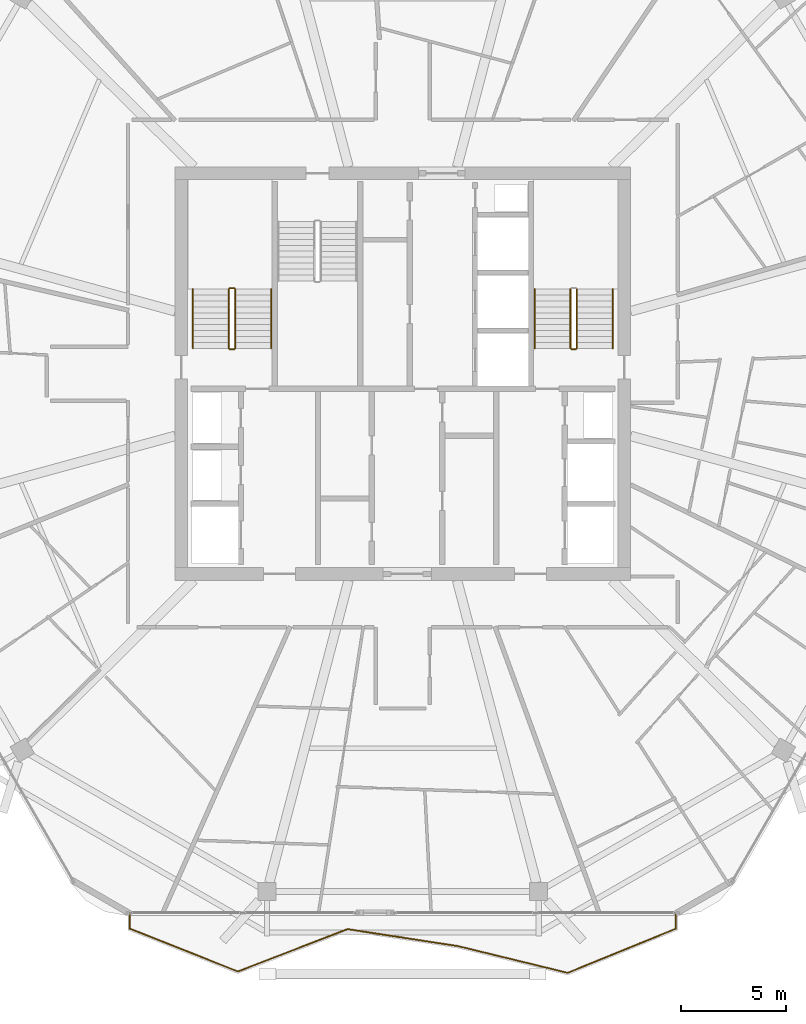
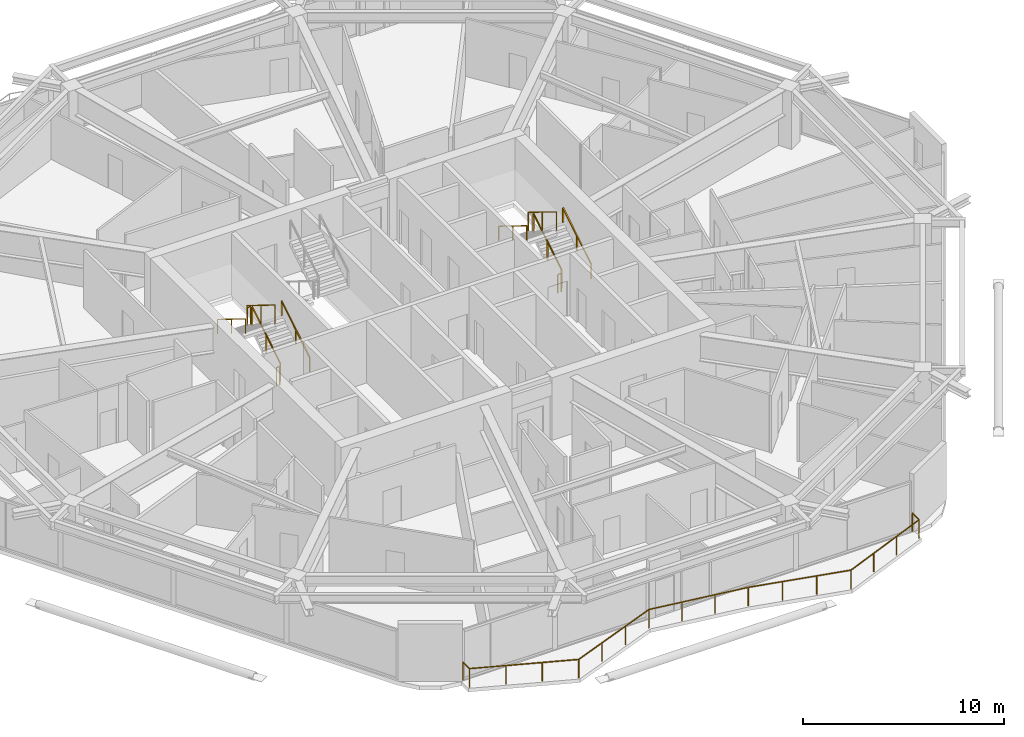
# One storey, part 25 of 26: 12 railings.
"""IFC4 building model written with IfcOpenShell, lengths in metres."""

from ifc_helpers import new_model, si_unit, direction, frame, origin, origin_2d, place, context, subcontext, project, spatial, rectangle, extrude, material, type_object, element, save


model = new_model("IFC4")

# Units and contexts
model_context = context("Model", 3, precision=1e-05, world=origin(), true_north=direction((0.0, 1.0)))
body_context = subcontext(model_context, "Body", "Model", "MODEL_VIEW")
ifc_project = project(units=[si_unit("LENGTHUNIT", "METRE"), si_unit("AREAUNIT", "SQUARE_METRE"), si_unit("VOLUMEUNIT", "CUBIC_METRE"), si_unit("PLANEANGLEUNIT", "RADIAN"), si_unit("MASSUNIT", "GRAM", prefix="KILO")], contexts=[model_context])

# Site, building, storey
site_placement = place(None, origin())
site = spatial("IfcSite", under=ifc_project, at=site_placement, CompositionType="ELEMENT")
building_placement = place(site_placement, origin())
building = spatial("IfcBuilding", under=site, at=building_placement, Name="Zuhravey Tower", CompositionType="ELEMENT")
storey_placement = place(building_placement, frame((0.0, 0.0, 299.60009765625)))
storey = spatial("IfcBuildingStorey", under=building, at=storey_placement, Name="L76", CompositionType="ELEMENT", Elevation=299.60009765625)

# Railings
ifc_material_1 = material(Name="Stainless steel 316 and laminated glass", Category="steel")
railing_type_1 = type_object("IfcRailingType", Name="Balcony & Terrace Guardrail 1150", PredefinedType="BALUSTRADE", material=ifc_material_1)
railing_1_placement = place(storey_placement, frame((48.941650390625, 6.351318359375, 0.0)))
element("IfcRailing", 1, at=railing_1_placement, inside=storey, type_object=railing_type_1, Name="L76 Face 5 Wave Balcony Guardrail GR1", PredefinedType="BALUSTRADE", context=body_context, shape_type="SweptSolid", body=[
    extrude(rectangle(XDim=0.048095703125, YDim=0.048095703125, at=origin_2d()), frame((0.0, -0.001953125, 1.1259765625), z_axis=(0.0, -1.0, 0.0), x_axis=(1.0, 0.0, 0.0)), (0.0, 0.0, 1.0), 0.668701171875),
    extrude(rectangle(XDim=0.048095703125, YDim=0.048095703125, at=origin_2d()), frame((-0.001953125, -0.67333984375, 1.1259765625), z_axis=(-0.925652291283, -0.378375257704, 0.0), x_axis=(0.378375257704, -0.925652291283, 0.0)), (0.0, 0.0, 1.0), 5.5322265625),
    extrude(rectangle(XDim=0.048095703125, YDim=0.048095703125, at=origin_2d()), frame((-5.12646484375, -2.766845703125, 1.1259765625), z_axis=(-0.971450755354, 0.237241290508, 0.0), x_axis=(-0.237241290508, -0.971450755354, 0.0)), (0.0, 0.0, 1.0), 5.337890625),
    extrude(rectangle(XDim=0.048095703125, YDim=0.048095703125, at=origin_2d()), frame((-10.31591796875, -1.499755859375, 1.1259765625), z_axis=(-0.988388704617, 0.151946597806, 0.0), x_axis=(-0.151946597806, -0.988388704617, 0.0)), (0.0, 0.0, 1.0), 5.3046875),
    extrude(rectangle(XDim=0.048095703125, YDim=0.048095703125, at=origin_2d()), frame((-15.56298828125, -0.694091796875, 1.1259765625), z_axis=(-0.933037339398, -0.35977954818, 0.0), x_axis=(0.35977954818, -0.933037339398, 0.0)), (0.0, 0.0, 1.0), 5.57470703125),
    extrude(rectangle(XDim=0.048095703125, YDim=0.048095703125, at=origin_2d()), frame((-20.76806640625, -2.69970703125, 1.1259765625), z_axis=(-0.929634492587, 0.368482984943, 0.0), x_axis=(-0.368482984943, -0.929634492587, 0.0)), (0.0, 0.0, 1.0), 5.50048828125),
    extrude(rectangle(XDim=0.048095703125, YDim=0.048095703125, at=origin_2d()), frame((-25.88330078125, -0.670166015625, 1.1259765625), z_axis=(0.0, 1.0, 0.0), x_axis=(-1.0, 0.0, 0.0)), (0.0, 0.0, 1.0), 0.668212890625),
    extrude(rectangle(XDim=0.0419921875, YDim=0.0419921875, at=origin_2d()), origin(), (0.0, 0.0, 1.0), 1.099853515625),
    extrude(rectangle(XDim=0.0419921875, YDim=0.0419921875, at=origin_2d()), frame((0.0, -0.672607421875, 0.0)), (0.0, 0.0, 1.0), 1.099853515625),
    extrude(rectangle(XDim=0.0419921875, YDim=0.0419921875, at=origin_2d()), frame((-1.708251953125, -1.370849609375, 0.0)), (0.0, 0.0, 1.0), 1.099853515625),
    extrude(rectangle(XDim=0.0419921875, YDim=0.0419921875, at=origin_2d()), frame((-3.416259765625, -2.069091796875, 0.0)), (0.0, 0.0, 1.0), 1.099853515625),
    extrude(rectangle(XDim=0.0419921875, YDim=0.0419921875, at=origin_2d()), frame((-5.12451171875, -2.767333984375, 0.0)), (0.0, 0.0, 1.0), 1.099853515625),
    extrude(rectangle(XDim=0.0419921875, YDim=0.0419921875, at=origin_2d()), frame((-6.854248046875, -2.344970703125, 0.0)), (0.0, 0.0, 1.0), 1.099853515625),
    extrude(rectangle(XDim=0.0419921875, YDim=0.0419921875, at=origin_2d()), frame((-8.584228515625, -1.92236328125, 0.0)), (0.0, 0.0, 1.0), 1.099853515625),
    extrude(rectangle(XDim=0.0419921875, YDim=0.0419921875, at=origin_2d()), frame((-10.31396484375, -1.5, 0.0)), (0.0, 0.0, 1.0), 1.099853515625),
    extrude(rectangle(XDim=0.0419921875, YDim=0.0419921875, at=origin_2d()), frame((-12.06298828125, -1.231201171875, 0.0)), (0.0, 0.0, 1.0), 1.099853515625),
    extrude(rectangle(XDim=0.0419921875, YDim=0.0419921875, at=origin_2d()), frame((-13.81201171875, -0.962158203125, 0.0)), (0.0, 0.0, 1.0), 1.099853515625),
    extrude(rectangle(XDim=0.0419921875, YDim=0.0419921875, at=origin_2d()), frame((-15.56103515625, -0.693359375, 0.0)), (0.0, 0.0, 1.0), 1.099853515625),
    extrude(rectangle(XDim=0.0419921875, YDim=0.0419921875, at=origin_2d()), frame((-17.296142578125, -1.3623046875, 0.0)), (0.0, 0.0, 1.0), 1.099853515625),
    extrude(rectangle(XDim=0.0419921875, YDim=0.0419921875, at=origin_2d()), frame((-19.031005859375, -2.031494140625, 0.0)), (0.0, 0.0, 1.0), 1.099853515625),
    extrude(rectangle(XDim=0.0419921875, YDim=0.0419921875, at=origin_2d()), frame((-20.76611328125, -2.700439453125, 0.0)), (0.0, 0.0, 1.0), 1.099853515625),
    extrude(rectangle(XDim=0.0419921875, YDim=0.0419921875, at=origin_2d()), frame((-22.471923828125, -2.0244140625, 0.0)), (0.0, 0.0, 1.0), 1.099853515625),
    extrude(rectangle(XDim=0.0419921875, YDim=0.0419921875, at=origin_2d()), frame((-24.177490234375, -1.34814453125, 0.0)), (0.0, 0.0, 1.0), 1.099853515625),
    extrude(rectangle(XDim=0.0419921875, YDim=0.0419921875, at=origin_2d()), frame((-25.88330078125, -0.672119140625, 0.0)), (0.0, 0.0, 1.0), 1.099853515625),
    extrude(rectangle(XDim=0.0419921875, YDim=0.0419921875, at=origin_2d()), frame((-25.88330078125, 0.0, 0.0)), (0.0, 0.0, 1.0), 1.099853515625),
])
ifc_material_2 = material(Name="Brushed stainless steel", Category="steel")
railing_type_2 = type_object("IfcRailingType", Name="Stair Wall Handrail 900", PredefinedType="HANDRAIL", material=ifc_material_2)
railing_2_placement = place(storey_placement, frame((29.75, 33.199951171875, 0.172607421875)))
element("IfcRailing", 2, at=railing_2_placement, inside=storey, type_object=railing_type_2, Name="L76 ST1 stair handrail 1", PredefinedType="HANDRAIL", context=body_context, shape_type="SweptSolid", body=[
    extrude(rectangle(XDim=0.048095703125, YDim=0.048095703125, at=origin_2d()), frame((0.0, 0.001708984375, 0.876953125), z_axis=(0.0, 0.851089632645, 0.525020415988), x_axis=(-1.0, 0.0, 0.0)), (0.0, 0.0, 1.0), 3.285888671875),
    extrude(rectangle(XDim=0.0419921875, YDim=0.0419921875, at=origin_2d()), origin(), (0.0, 0.0, 1.0), 0.849853515625),
    extrude(rectangle(XDim=0.0419921875, YDim=0.0419921875, at=origin_2d()), frame((0.0, 1.39990234375, 0.86376953125)), (0.0, 0.0, 1.0), 0.849853515625),
    extrude(rectangle(XDim=0.0419921875, YDim=0.0419921875, at=origin_2d()), frame((0.0, 2.800048828125, 1.727294921875)), (0.0, 0.0, 1.0), 0.849853515625),
])
railing_3_placement = place(storey_placement, frame((26.050048828125, 36.0, 2.072509765625)))
element("IfcRailing", 3, at=railing_3_placement, inside=storey, type_object=railing_type_2, Name="L76 ST1 stair handrail 2", PredefinedType="HANDRAIL", context=body_context, shape_type="SweptSolid", body=[
    extrude(rectangle(XDim=0.048095703125, YDim=0.048095703125, at=origin_2d()), frame((0.0, -0.001708984375, 0.876953125), z_axis=(0.0, -0.851089632645, 0.525020415988), x_axis=(1.0, 0.0, 0.0)), (0.0, 0.0, 1.0), 3.285888671875),
    extrude(rectangle(XDim=0.0419921875, YDim=0.0419921875, at=origin_2d()), origin(), (0.0, 0.0, 1.0), 0.849853515625),
    extrude(rectangle(XDim=0.0419921875, YDim=0.0419921875, at=origin_2d()), frame((0.0, -1.39990234375, 0.86376953125)), (0.0, 0.0, 1.0), 0.849853515625),
    extrude(rectangle(XDim=0.0419921875, YDim=0.0419921875, at=origin_2d()), frame((0.0, -2.800048828125, 1.727294921875)), (0.0, 0.0, 1.0), 0.849853515625),
])
railing_4_placement = place(storey_placement, frame((45.949951171875, 33.199951171875, 0.172607421875)))
element("IfcRailing", 4, at=railing_4_placement, inside=storey, type_object=railing_type_2, Name="L76 ST2 stair handrail 1", PredefinedType="HANDRAIL", context=body_context, shape_type="SweptSolid", body=[
    extrude(rectangle(XDim=0.048095703125, YDim=0.048095703125, at=origin_2d()), frame((0.0, 0.001708984375, 0.876953125), z_axis=(0.0, 0.851089632645, 0.525020415988), x_axis=(-1.0, 0.0, 0.0)), (0.0, 0.0, 1.0), 3.285888671875),
    extrude(rectangle(XDim=0.0419921875, YDim=0.0419921875, at=origin_2d()), origin(), (0.0, 0.0, 1.0), 0.849853515625),
    extrude(rectangle(XDim=0.0419921875, YDim=0.0419921875, at=origin_2d()), frame((0.0, 1.39990234375, 0.86376953125)), (0.0, 0.0, 1.0), 0.849853515625),
    extrude(rectangle(XDim=0.0419921875, YDim=0.0419921875, at=origin_2d()), frame((0.0, 2.800048828125, 1.727294921875)), (0.0, 0.0, 1.0), 0.849853515625),
])
railing_5_placement = place(storey_placement, frame((42.25, 36.0, 2.072509765625)))
element("IfcRailing", 5, at=railing_5_placement, inside=storey, type_object=railing_type_2, Name="L76 ST2 stair handrail 2", PredefinedType="HANDRAIL", context=body_context, shape_type="SweptSolid", body=[
    extrude(rectangle(XDim=0.048095703125, YDim=0.048095703125, at=origin_2d()), frame((0.0, -0.001708984375, 0.876953125), z_axis=(0.0, -0.851089632645, 0.525020415988), x_axis=(1.0, 0.0, 0.0)), (0.0, 0.0, 1.0), 3.285888671875),
    extrude(rectangle(XDim=0.0419921875, YDim=0.0419921875, at=origin_2d()), origin(), (0.0, 0.0, 1.0), 0.849853515625),
    extrude(rectangle(XDim=0.0419921875, YDim=0.0419921875, at=origin_2d()), frame((0.0, -1.39990234375, 0.86376953125)), (0.0, 0.0, 1.0), 0.849853515625),
    extrude(rectangle(XDim=0.0419921875, YDim=0.0419921875, at=origin_2d()), frame((0.0, -2.800048828125, 1.727294921875)), (0.0, 0.0, 1.0), 0.849853515625),
])
ifc_material_3 = material(Name="Painted tubular steel", Category="steel")
railing_type_3 = type_object("IfcRailingType", Name="Stair Well Guardrail 1150", PredefinedType="GUARDRAIL", material=ifc_material_3)
railing_6_placement = place(storey_placement, frame((28.050048828125, 33.199951171875, 0.172607421875)))
element("IfcRailing", 6, at=railing_6_placement, inside=storey, type_object=railing_type_3, Name="L76 ST1 stair guard 1", PredefinedType="GUARDRAIL", context=body_context, shape_type="SweptSolid", body=[
    extrude(rectangle(XDim=0.048095703125, YDim=0.048095703125, at=origin_2d()), frame((0.0, 0.001708984375, 1.126953125), z_axis=(0.0, 0.851089632645, 0.525020415988), x_axis=(-1.0, 0.0, 0.0)), (0.0, 0.0, 1.0), 3.285888671875),
    extrude(rectangle(XDim=0.0419921875, YDim=0.0419921875, at=origin_2d()), origin(), (0.0, 0.0, 1.0), 1.099853515625),
    extrude(rectangle(XDim=0.0419921875, YDim=0.0419921875, at=origin_2d()), frame((0.0, 1.39990234375, 0.86376953125)), (0.0, 0.0, 1.0), 1.099853515625),
    extrude(rectangle(XDim=0.0419921875, YDim=0.0419921875, at=origin_2d()), frame((0.0, 2.800048828125, 1.727294921875)), (0.0, 0.0, 1.0), 1.099853515625),
])
railing_7_placement = place(storey_placement, frame((28.0, 36.050048828125, 1.89990234375)))
element("IfcRailing", 7, at=railing_7_placement, inside=storey, type_object=railing_type_3, Name="L76 ST1 stair guard 2", PredefinedType="GUARDRAIL", context=body_context, shape_type="SweptSolid", body=[
    extrude(rectangle(XDim=0.048095703125, YDim=0.048095703125, at=origin_2d()), frame((-0.001953125, 0.0, 1.1259765625), z_axis=(-1.0, 0.0, 0.0), x_axis=(0.0, -1.0, 0.0)), (0.0, 0.0, 1.0), 0.196044921875),
    extrude(rectangle(XDim=0.0419921875, YDim=0.0419921875, at=origin_2d()), origin(), (0.0, 0.0, 1.0), 1.099853515625),
    extrude(rectangle(XDim=0.0419921875, YDim=0.0419921875, at=origin_2d()), frame((-0.199951171875, 0.0, 0.0)), (0.0, 0.0, 1.0), 1.099853515625),
])
railing_8_placement = place(storey_placement, frame((27.75, 36.0, 2.072509765625)))
element("IfcRailing", 8, at=railing_8_placement, inside=storey, type_object=railing_type_3, Name="L76 ST1 stair guard 3", PredefinedType="GUARDRAIL", context=body_context, shape_type="SweptSolid", body=[
    extrude(rectangle(XDim=0.048095703125, YDim=0.048095703125, at=origin_2d()), frame((0.0, -0.001708984375, 1.126953125), z_axis=(0.0, -0.851089632645, 0.525020415988), x_axis=(1.0, 0.0, 0.0)), (0.0, 0.0, 1.0), 3.285888671875),
    extrude(rectangle(XDim=0.0419921875, YDim=0.0419921875, at=origin_2d()), origin(), (0.0, 0.0, 1.0), 1.099853515625),
    extrude(rectangle(XDim=0.0419921875, YDim=0.0419921875, at=origin_2d()), frame((0.0, -1.39990234375, 0.86376953125)), (0.0, 0.0, 1.0), 1.099853515625),
    extrude(rectangle(XDim=0.0419921875, YDim=0.0419921875, at=origin_2d()), frame((0.0, -2.800048828125, 1.727294921875)), (0.0, 0.0, 1.0), 1.099853515625),
])
railing_9_placement = place(storey_placement, frame((28.0, 33.14990234375, 0.0)))
element("IfcRailing", 9, at=railing_9_placement, inside=storey, type_object=railing_type_3, Name="L76 ST1 stair guard 4", PredefinedType="GUARDRAIL", context=body_context, shape_type="SweptSolid", body=[
    extrude(rectangle(XDim=0.048095703125, YDim=0.048095703125, at=origin_2d()), frame((-0.001953125, 0.0, 1.1259765625), z_axis=(-1.0, 0.0, 0.0), x_axis=(0.0, -1.0, 0.0)), (0.0, 0.0, 1.0), 0.196044921875),
    extrude(rectangle(XDim=0.0419921875, YDim=0.0419921875, at=origin_2d()), origin(), (0.0, 0.0, 1.0), 1.099853515625),
    extrude(rectangle(XDim=0.0419921875, YDim=0.0419921875, at=origin_2d()), frame((-0.199951171875, 0.0, 0.0)), (0.0, 0.0, 1.0), 1.099853515625),
])
railing_10_placement = place(storey_placement, frame((44.25, 33.199951171875, 0.172607421875)))
element("IfcRailing", 10, at=railing_10_placement, inside=storey, type_object=railing_type_3, Name="L76 ST2 stair guard 1", PredefinedType="GUARDRAIL", context=body_context, shape_type="SweptSolid", body=[
    extrude(rectangle(XDim=0.048095703125, YDim=0.048095703125, at=origin_2d()), frame((0.0, 0.001708984375, 1.126953125), z_axis=(0.0, 0.851089632645, 0.525020415988), x_axis=(-1.0, 0.0, 0.0)), (0.0, 0.0, 1.0), 3.285888671875),
    extrude(rectangle(XDim=0.0419921875, YDim=0.0419921875, at=origin_2d()), origin(), (0.0, 0.0, 1.0), 1.099853515625),
    extrude(rectangle(XDim=0.0419921875, YDim=0.0419921875, at=origin_2d()), frame((0.0, 1.39990234375, 0.86376953125)), (0.0, 0.0, 1.0), 1.099853515625),
    extrude(rectangle(XDim=0.0419921875, YDim=0.0419921875, at=origin_2d()), frame((0.0, 2.800048828125, 1.727294921875)), (0.0, 0.0, 1.0), 1.099853515625),
])
railing_11_placement = place(storey_placement, frame((43.949951171875, 36.0, 2.072509765625)))
element("IfcRailing", 11, at=railing_11_placement, inside=storey, type_object=railing_type_3, Name="L76 ST2 stair guard 3", PredefinedType="GUARDRAIL", context=body_context, shape_type="SweptSolid", body=[
    extrude(rectangle(XDim=0.048095703125, YDim=0.048095703125, at=origin_2d()), frame((0.0, -0.001708984375, 1.126953125), z_axis=(0.0, -0.851089632645, 0.525020415988), x_axis=(1.0, 0.0, 0.0)), (0.0, 0.0, 1.0), 3.285888671875),
    extrude(rectangle(XDim=0.0419921875, YDim=0.0419921875, at=origin_2d()), origin(), (0.0, 0.0, 1.0), 1.099853515625),
    extrude(rectangle(XDim=0.0419921875, YDim=0.0419921875, at=origin_2d()), frame((0.0, -1.39990234375, 0.86376953125)), (0.0, 0.0, 1.0), 1.099853515625),
    extrude(rectangle(XDim=0.0419921875, YDim=0.0419921875, at=origin_2d()), frame((0.0, -2.800048828125, 1.727294921875)), (0.0, 0.0, 1.0), 1.099853515625),
])
railing_12_placement = place(storey_placement, frame((44.199951171875, 33.14990234375, 0.0)))
element("IfcRailing", 12, at=railing_12_placement, inside=storey, type_object=railing_type_3, Name="L76 ST2 stair guard 4", PredefinedType="GUARDRAIL", context=body_context, shape_type="SweptSolid", body=[
    extrude(rectangle(XDim=0.048095703125, YDim=0.048095703125, at=origin_2d()), frame((-0.001953125, 0.0, 1.1259765625), z_axis=(-1.0, 0.0, 0.0), x_axis=(0.0, -1.0, 0.0)), (0.0, 0.0, 1.0), 0.196044921875),
    extrude(rectangle(XDim=0.0419921875, YDim=0.0419921875, at=origin_2d()), origin(), (0.0, 0.0, 1.0), 1.099853515625),
    extrude(rectangle(XDim=0.0419921875, YDim=0.0419921875, at=origin_2d()), frame((-0.199951171875, 0.0, 0.0)), (0.0, 0.0, 1.0), 1.099853515625),
])

save(model, "model.ifc")
